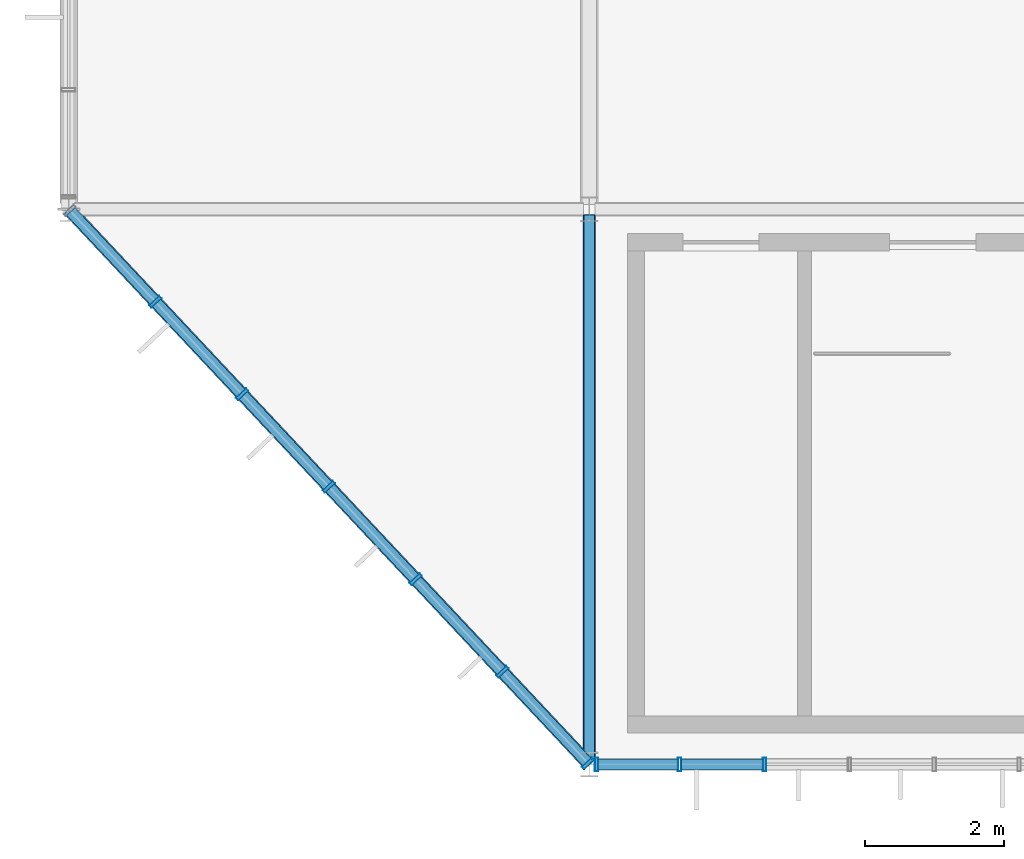
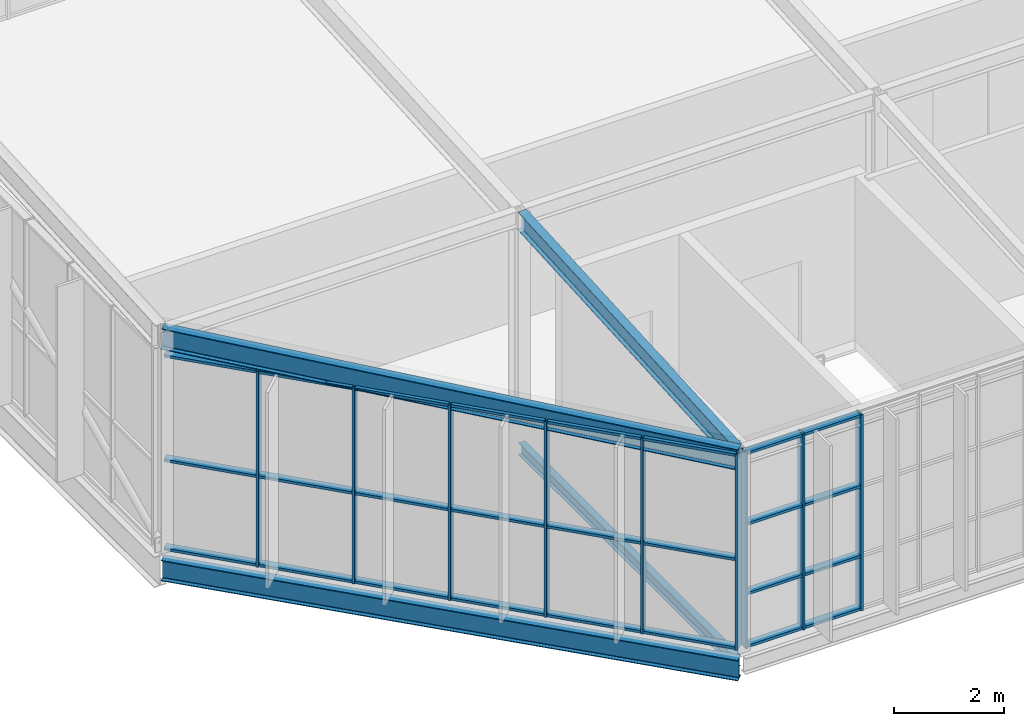
# One storey, part 10 of 104: 35 members, 4 beams, 2 elements without a shape of their own.
"""IFC4 building model written with IfcOpenShell, lengths in metres."""

from ifc_helpers import new_model, si_unit, direction, frame, origin, origin_2d, place, context, subcontext, project, spatial, hollow_rectangle, i_section, extrude, material, layer, layer_set, material_profile, profile_set, type_object, element, aggregate, save


model = new_model("IFC4")

# Units and contexts
model_context = context("Model", 3, precision=1e-05, world=origin(), true_north=direction((0.0, 1.0)))
body_context = subcontext(model_context, "Body", "Model", "MODEL_VIEW")
ifc_project = project(units=[si_unit("LENGTHUNIT", "METRE"), si_unit("AREAUNIT", "SQUARE_METRE"), si_unit("VOLUMEUNIT", "CUBIC_METRE"), si_unit("PLANEANGLEUNIT", "RADIAN"), si_unit("MASSUNIT", "GRAM", prefix="KILO")], contexts=[model_context])

# Site, building, storey
site_placement = place(None, origin())
site = spatial("IfcSite", under=ifc_project, at=site_placement, CompositionType="ELEMENT")
building_placement = place(site_placement, origin())
building = spatial("IfcBuilding", under=site, at=building_placement, Name="Solvenia Promenade Tram Depot", CompositionType="ELEMENT")
storey_placement = place(building_placement, frame((0.0, 0.0, 9.0)))
storey = spatial("IfcBuildingStorey", under=building, at=storey_placement, Name="L02", CompositionType="ELEMENT", Elevation=9.0)

# Beam
ifc_material_1 = material(Name="Structural steel ASTM A992 Gr. 50", Category="steel")
ifc_material_profile_1 = material_profile(ifc_material_1, i_section(OverallWidth=0.178955078125, OverallDepth=0.409912109375, WebThickness=0.0087890625, FlangeThickness=0.014404296875, FilletRadius=0.011962890625, at=origin_2d()), Name="W410x67", Category="steel")
ifc_profile_set_1 = profile_set([ifc_material_profile_1], Name="Structural steel ASTM A992 Gr. 50")
beam_type_1 = type_object("IfcBeamType", Name="Beam-W410x67", PredefinedType="BEAM", material=ifc_profile_set_1)
beam_1_placement = place(storey_placement, frame((7.5, 0.0849609375, 4.2548828125), z_axis=(0.0, 0.998227697106, 0.059510206937), x_axis=(-1.0, 0.0, 0.0)))
element("IfcBeam", 1, at=beam_1_placement, inside=storey, type_object=beam_type_1, Name="Folded Wing Roof Rafter BM-L02-0844", PredefinedType="BEAM", context=body_context, shape_type="SweptSolid", body=[
    extrude(i_section(OverallWidth=0.178955078125, OverallDepth=0.409912109375, WebThickness=0.0087890625, FlangeThickness=0.014404296875, FilletRadius=0.011962890625, at=origin_2d()), origin(), (0.0, 0.0, 1.0), 7.843994140625),
])

# Curtain wall, members
ifc_material_2 = material(Name="Anodized aluminium AW-6063 T6", Category="aluminium")
ifc_layer_1 = layer(ifc_material_2, 0.179931640625, Name="Anodized aluminium AW-6063 T6", Category="aluminium")
ifc_layer_set_1 = layer_set([ifc_layer_1], Name="Anodized aluminium AW-6063 T6")
curtain_wall_type_1 = type_object("IfcCurtainWallType", Name="CW-Prom-1800", PredefinedType="NOTDEFINED", material=ifc_layer_set_1)
curtain_wall_1_placement = place(storey_placement, origin())
curtain_wall_1 = element("IfcCurtainWall", 2, at=curtain_wall_1_placement, inside=storey, type_object=curtain_wall_type_1, Name="L02 West Park Faceted Prow Curtain Wall", PredefinedType="NOTDEFINED")
ifc_material_profile_2 = material_profile(ifc_material_2, hollow_rectangle(XDim=0.199951171875, YDim=0.048095703125, WallThickness=0.00390625, at=origin_2d()), Name="ALU-M3", Category="aluminium")
ifc_profile_set_2 = profile_set([ifc_material_profile_2], Name="Anodized aluminium AW-6063 T6")
member_type_1 = type_object("IfcMemberType", Name="CWM-Mullion-3", PredefinedType="MULLION", material=ifc_profile_set_2)
member_1_placement = place(storey_placement, frame((1.25, 6.666748046875, 0.0), z_axis=(0.0, 0.0, 1.0), x_axis=(0.72953720414, 0.683941128881, 0.0)))
member_1 = element("IfcMember", 3, at=member_1_placement, type_object=member_type_1, Name="CW-9 mullion 2", PredefinedType="MULLION", context=body_context, shape_type="SweptSolid", body=[
    extrude(hollow_rectangle(XDim=0.199951171875, YDim=0.048095703125, WallThickness=0.00390625, at=origin_2d()), origin(), (0.0, 0.0, 1.0), 4.35009765625),
])
member_2_placement = place(storey_placement, frame((2.5, 5.333251953125, 0.0), z_axis=(0.0, 0.0, 1.0), x_axis=(0.72953720414, 0.683941128881, 0.0)))
member_2 = element("IfcMember", 4, at=member_2_placement, type_object=member_type_1, Name="CW-9 mullion 3", PredefinedType="MULLION", context=body_context, shape_type="SweptSolid", body=[
    extrude(hollow_rectangle(XDim=0.199951171875, YDim=0.048095703125, WallThickness=0.00390625, at=origin_2d()), origin(), (0.0, 0.0, 1.0), 4.35009765625),
])
member_3_placement = place(storey_placement, frame((3.75, 4.0, 0.0), z_axis=(0.0, 0.0, 1.0), x_axis=(0.72953720414, 0.683941128881, 0.0)))
member_3 = element("IfcMember", 5, at=member_3_placement, type_object=member_type_1, Name="CW-9 mullion 4", PredefinedType="MULLION", context=body_context, shape_type="SweptSolid", body=[
    extrude(hollow_rectangle(XDim=0.199951171875, YDim=0.048095703125, WallThickness=0.00390625, at=origin_2d()), origin(), (0.0, 0.0, 1.0), 4.35009765625),
])
member_4_placement = place(storey_placement, frame((5.0, 2.666748046875, 0.0), z_axis=(0.0, 0.0, 1.0), x_axis=(0.72953720414, 0.683941128881, 0.0)))
member_4 = element("IfcMember", 6, at=member_4_placement, type_object=member_type_1, Name="CW-9 mullion 5", PredefinedType="MULLION", context=body_context, shape_type="SweptSolid", body=[
    extrude(hollow_rectangle(XDim=0.199951171875, YDim=0.048095703125, WallThickness=0.00390625, at=origin_2d()), origin(), (0.0, 0.0, 1.0), 4.35009765625),
])
member_5_placement = place(storey_placement, frame((6.25, 1.333251953125, 0.0), z_axis=(0.0, 0.0, 1.0), x_axis=(0.72953720414, 0.683941128881, 0.0)))
member_5 = element("IfcMember", 7, at=member_5_placement, type_object=member_type_1, Name="CW-9 mullion 6", PredefinedType="MULLION", context=body_context, shape_type="SweptSolid", body=[
    extrude(hollow_rectangle(XDim=0.199951171875, YDim=0.048095703125, WallThickness=0.00390625, at=origin_2d()), origin(), (0.0, 0.0, 1.0), 4.35009765625),
])
member_6_placement = place(storey_placement, frame((7.483642578125, 0.017578125, 0.0), z_axis=(0.0, 0.0, 1.0), x_axis=(0.72953720414, 0.683941128881, 0.0)))
member_6 = element("IfcMember", 8, at=member_6_placement, type_object=member_type_1, Name="CW-9 mullion 7", PredefinedType="MULLION", context=body_context, shape_type="SweptSolid", body=[
    extrude(hollow_rectangle(XDim=0.199951171875, YDim=0.048095703125, WallThickness=0.00390625, at=origin_2d()), origin(), (0.0, 0.0, 1.0), 4.35009765625),
])

ifc_layer_2 = layer(ifc_material_2, 0.179931640625, Name="Anodized aluminium AW-6063 T6", Category="aluminium")
ifc_layer_set_2 = layer_set([ifc_layer_2], Name="Anodized aluminium AW-6063 T6")
curtain_wall_type_2 = type_object("IfcCurtainWallType", Name="CW-Solar-1250", PredefinedType="NOTDEFINED", material=ifc_layer_set_2)
curtain_wall_2_placement = place(storey_placement, origin())
curtain_wall_2 = element("IfcCurtainWall", 9, at=curtain_wall_2_placement, inside=storey, type_object=curtain_wall_type_2, Name="Curtain Wall CW-V4S-L02-01", PredefinedType="NOTDEFINED")
member_7_placement = place(storey_placement, frame((7.60400390625, 0.0, 0.0), z_axis=(0.0, 0.0, 1.0), x_axis=(0.0, 1.0, 0.0)))
member_7 = element("IfcMember", 10, at=member_7_placement, type_object=member_type_1, Name="CW-6 mullion 1", PredefinedType="MULLION", context=body_context, shape_type="SweptSolid", body=[
    extrude(hollow_rectangle(XDim=0.199951171875, YDim=0.048095703125, WallThickness=0.00390625, at=origin_2d()), origin(), (0.0, 0.0, 1.0), 4.35009765625),
])
member_8_placement = place(storey_placement, frame((8.80322265625, 0.0, 0.0), z_axis=(0.0, 0.0, 1.0), x_axis=(0.0, 1.0, 0.0)))
member_8 = element("IfcMember", 11, at=member_8_placement, type_object=member_type_1, Name="CW-6 mullion 2", PredefinedType="MULLION", context=body_context, shape_type="SweptSolid", body=[
    extrude(hollow_rectangle(XDim=0.199951171875, YDim=0.048095703125, WallThickness=0.00390625, at=origin_2d()), origin(), (0.0, 0.0, 1.0), 4.35009765625),
])
member_9_placement = place(storey_placement, frame((10.026611328125, 0.0, 0.0), z_axis=(0.0, 0.0, 1.0), x_axis=(0.0, 1.0, 0.0)))
member_9 = element("IfcMember", 12, at=member_9_placement, type_object=member_type_1, Name="CW-6 mullion 3", PredefinedType="MULLION", context=body_context, shape_type="SweptSolid", body=[
    extrude(hollow_rectangle(XDim=0.199951171875, YDim=0.048095703125, WallThickness=0.00390625, at=origin_2d()), origin(), (0.0, 0.0, 1.0), 4.35009765625),
])

# Member
ifc_material_profile_3 = material_profile(ifc_material_2, hollow_rectangle(XDim=0.159912109375, YDim=0.05810546875, WallThickness=0.00390625, at=origin_2d()), Name="ALU-T3", Category="aluminium")
ifc_profile_set_3 = profile_set([ifc_material_profile_3], Name="Anodized aluminium AW-6063 T6")
member_type_2 = type_object("IfcMemberType", Name="CWT-Transom-3", PredefinedType="USERDEFINED", material=ifc_profile_set_3)
member_10_placement = place(storey_placement, frame((0.03271484375, 7.965087890625, 0.029052734375), z_axis=(0.683936503845, -0.729541540084, 0.0), x_axis=(0.729541540084, 0.683936503845, 0.0)))
member_10 = element("IfcMember", 13, at=member_10_placement, type_object=member_type_2, Name="CW-9 transom 1.1", ObjectType="TRANSOM", PredefinedType="USERDEFINED", context=body_context, shape_type="SweptSolid", body=[
    extrude(hollow_rectangle(XDim=0.159912109375, YDim=0.05810546875, WallThickness=0.00390625, at=origin_2d()), origin(), (0.0, 0.0, 1.0), 1.755859375),
])

member_11_placement = place(storey_placement, frame((0.03271484375, 7.965087890625, 2.0), z_axis=(0.683936503845, -0.729541540084, 0.0), x_axis=(0.729541540084, 0.683936503845, 0.0)))
member_11 = element("IfcMember", 14, at=member_11_placement, type_object=member_type_2, Name="CW-9 transom 1.2", ObjectType="TRANSOM", PredefinedType="USERDEFINED", context=body_context, shape_type="SweptSolid", body=[
    extrude(hollow_rectangle(XDim=0.159912109375, YDim=0.05810546875, WallThickness=0.00390625, at=origin_2d()), origin(), (0.0, 0.0, 1.0), 1.755859375),
])

member_12_placement = place(storey_placement, frame((0.03271484375, 7.965087890625, 4.321044921875), z_axis=(0.683936503845, -0.729541540084, 0.0), x_axis=(0.729541540084, 0.683936503845, 0.0)))
member_12 = element("IfcMember", 15, at=member_12_placement, type_object=member_type_2, Name="CW-9 transom 1.3", ObjectType="TRANSOM", PredefinedType="USERDEFINED", context=body_context, shape_type="SweptSolid", body=[
    extrude(hollow_rectangle(XDim=0.159912109375, YDim=0.05810546875, WallThickness=0.00390625, at=origin_2d()), origin(), (0.0, 0.0, 1.0), 1.755859375),
])

member_13_placement = place(storey_placement, frame((1.266357421875, 6.649169921875, 0.029052734375), z_axis=(0.683968506921, -0.729511536263, 0.0), x_axis=(0.729511536263, 0.683968506921, 0.0)))
member_13 = element("IfcMember", 16, at=member_13_placement, type_object=member_type_2, Name="CW-9 transom 2.1", ObjectType="TRANSOM", PredefinedType="USERDEFINED", context=body_context, shape_type="SweptSolid", body=[
    extrude(hollow_rectangle(XDim=0.159912109375, YDim=0.05810546875, WallThickness=0.00390625, at=origin_2d()), origin(), (0.0, 0.0, 1.0), 1.77978515625),
])

member_14_placement = place(storey_placement, frame((1.266357421875, 6.649169921875, 2.0), z_axis=(0.683968506921, -0.729511536263, 0.0), x_axis=(0.729511536263, 0.683968506921, 0.0)))
member_14 = element("IfcMember", 17, at=member_14_placement, type_object=member_type_2, Name="CW-9 transom 2.2", ObjectType="TRANSOM", PredefinedType="USERDEFINED", context=body_context, shape_type="SweptSolid", body=[
    extrude(hollow_rectangle(XDim=0.159912109375, YDim=0.05810546875, WallThickness=0.00390625, at=origin_2d()), origin(), (0.0, 0.0, 1.0), 1.77978515625),
])

member_15_placement = place(storey_placement, frame((1.266357421875, 6.649169921875, 4.321044921875), z_axis=(0.683968506921, -0.729511536263, 0.0), x_axis=(0.729511536263, 0.683968506921, 0.0)))
member_15 = element("IfcMember", 18, at=member_15_placement, type_object=member_type_2, Name="CW-9 transom 2.3", ObjectType="TRANSOM", PredefinedType="USERDEFINED", context=body_context, shape_type="SweptSolid", body=[
    extrude(hollow_rectangle(XDim=0.159912109375, YDim=0.05810546875, WallThickness=0.00390625, at=origin_2d()), origin(), (0.0, 0.0, 1.0), 1.77978515625),
])

member_16_placement = place(storey_placement, frame((2.516357421875, 5.31591796875, 0.029052734375), z_axis=(0.683968506921, -0.729511536263, 0.0), x_axis=(0.729511536263, 0.683968506921, 0.0)))
member_16 = element("IfcMember", 19, at=member_16_placement, type_object=member_type_2, Name="CW-9 transom 3.1", ObjectType="TRANSOM", PredefinedType="USERDEFINED", context=body_context, shape_type="SweptSolid", body=[
    extrude(hollow_rectangle(XDim=0.159912109375, YDim=0.05810546875, WallThickness=0.00390625, at=origin_2d()), origin(), (0.0, 0.0, 1.0), 1.77978515625),
])

member_17_placement = place(storey_placement, frame((2.516357421875, 5.31591796875, 2.0), z_axis=(0.683968506921, -0.729511536263, 0.0), x_axis=(0.729511536263, 0.683968506921, 0.0)))
member_17 = element("IfcMember", 20, at=member_17_placement, type_object=member_type_2, Name="CW-9 transom 3.2", ObjectType="TRANSOM", PredefinedType="USERDEFINED", context=body_context, shape_type="SweptSolid", body=[
    extrude(hollow_rectangle(XDim=0.159912109375, YDim=0.05810546875, WallThickness=0.00390625, at=origin_2d()), origin(), (0.0, 0.0, 1.0), 1.77978515625),
])

member_18_placement = place(storey_placement, frame((2.516357421875, 5.31591796875, 4.321044921875), z_axis=(0.683968506921, -0.729511536263, 0.0), x_axis=(0.729511536263, 0.683968506921, 0.0)))
member_18 = element("IfcMember", 21, at=member_18_placement, type_object=member_type_2, Name="CW-9 transom 3.3", ObjectType="TRANSOM", PredefinedType="USERDEFINED", context=body_context, shape_type="SweptSolid", body=[
    extrude(hollow_rectangle(XDim=0.159912109375, YDim=0.05810546875, WallThickness=0.00390625, at=origin_2d()), origin(), (0.0, 0.0, 1.0), 1.77978515625),
])

member_19_placement = place(storey_placement, frame((3.766357421875, 3.982421875, 0.029052734375), z_axis=(0.683968506921, -0.729511536263, 0.0), x_axis=(0.729511536263, 0.683968506921, 0.0)))
member_19 = element("IfcMember", 22, at=member_19_placement, type_object=member_type_2, Name="CW-9 transom 4.1", ObjectType="TRANSOM", PredefinedType="USERDEFINED", context=body_context, shape_type="SweptSolid", body=[
    extrude(hollow_rectangle(XDim=0.159912109375, YDim=0.05810546875, WallThickness=0.00390625, at=origin_2d()), origin(), (0.0, 0.0, 1.0), 1.77978515625),
])

member_20_placement = place(storey_placement, frame((3.766357421875, 3.982421875, 2.0), z_axis=(0.683968506921, -0.729511536263, 0.0), x_axis=(0.729511536263, 0.683968506921, 0.0)))
member_20 = element("IfcMember", 23, at=member_20_placement, type_object=member_type_2, Name="CW-9 transom 4.2", ObjectType="TRANSOM", PredefinedType="USERDEFINED", context=body_context, shape_type="SweptSolid", body=[
    extrude(hollow_rectangle(XDim=0.159912109375, YDim=0.05810546875, WallThickness=0.00390625, at=origin_2d()), origin(), (0.0, 0.0, 1.0), 1.77978515625),
])

member_21_placement = place(storey_placement, frame((3.766357421875, 3.982421875, 4.321044921875), z_axis=(0.683968506921, -0.729511536263, 0.0), x_axis=(0.729511536263, 0.683968506921, 0.0)))
member_21 = element("IfcMember", 24, at=member_21_placement, type_object=member_type_2, Name="CW-9 transom 4.3", ObjectType="TRANSOM", PredefinedType="USERDEFINED", context=body_context, shape_type="SweptSolid", body=[
    extrude(hollow_rectangle(XDim=0.159912109375, YDim=0.05810546875, WallThickness=0.00390625, at=origin_2d()), origin(), (0.0, 0.0, 1.0), 1.77978515625),
])

member_22_placement = place(storey_placement, frame((5.016357421875, 2.649169921875, 0.029052734375), z_axis=(0.683968506921, -0.729511536263, 0.0), x_axis=(0.729511536263, 0.683968506921, 0.0)))
member_22 = element("IfcMember", 25, at=member_22_placement, type_object=member_type_2, Name="CW-9 transom 5.1", ObjectType="TRANSOM", PredefinedType="USERDEFINED", context=body_context, shape_type="SweptSolid", body=[
    extrude(hollow_rectangle(XDim=0.159912109375, YDim=0.05810546875, WallThickness=0.00390625, at=origin_2d()), origin(), (0.0, 0.0, 1.0), 1.77978515625),
])

member_23_placement = place(storey_placement, frame((5.016357421875, 2.649169921875, 2.0), z_axis=(0.683968506921, -0.729511536263, 0.0), x_axis=(0.729511536263, 0.683968506921, 0.0)))
member_23 = element("IfcMember", 26, at=member_23_placement, type_object=member_type_2, Name="CW-9 transom 5.2", ObjectType="TRANSOM", PredefinedType="USERDEFINED", context=body_context, shape_type="SweptSolid", body=[
    extrude(hollow_rectangle(XDim=0.159912109375, YDim=0.05810546875, WallThickness=0.00390625, at=origin_2d()), origin(), (0.0, 0.0, 1.0), 1.77978515625),
])

member_24_placement = place(storey_placement, frame((5.016357421875, 2.649169921875, 4.321044921875), z_axis=(0.683968506921, -0.729511536263, 0.0), x_axis=(0.729511536263, 0.683968506921, 0.0)))
member_24 = element("IfcMember", 27, at=member_24_placement, type_object=member_type_2, Name="CW-9 transom 5.3", ObjectType="TRANSOM", PredefinedType="USERDEFINED", context=body_context, shape_type="SweptSolid", body=[
    extrude(hollow_rectangle(XDim=0.159912109375, YDim=0.05810546875, WallThickness=0.00390625, at=origin_2d()), origin(), (0.0, 0.0, 1.0), 1.77978515625),
])

member_25_placement = place(storey_placement, frame((6.266357421875, 1.31591796875, 0.029052734375), z_axis=(0.683936503845, -0.729541540084, 0.0), x_axis=(0.729541540084, 0.683936503845, 0.0)))
member_25 = element("IfcMember", 28, at=member_25_placement, type_object=member_type_2, Name="CW-9 transom 6.1", ObjectType="TRANSOM", PredefinedType="USERDEFINED", context=body_context, shape_type="SweptSolid", body=[
    extrude(hollow_rectangle(XDim=0.159912109375, YDim=0.05810546875, WallThickness=0.00390625, at=origin_2d()), origin(), (0.0, 0.0, 1.0), 1.755859375),
])

member_26_placement = place(storey_placement, frame((6.266357421875, 1.31591796875, 2.0), z_axis=(0.683936503845, -0.729541540084, 0.0), x_axis=(0.729541540084, 0.683936503845, 0.0)))
member_26 = element("IfcMember", 29, at=member_26_placement, type_object=member_type_2, Name="CW-9 transom 6.2", ObjectType="TRANSOM", PredefinedType="USERDEFINED", context=body_context, shape_type="SweptSolid", body=[
    extrude(hollow_rectangle(XDim=0.159912109375, YDim=0.05810546875, WallThickness=0.00390625, at=origin_2d()), origin(), (0.0, 0.0, 1.0), 1.755859375),
])

member_27_placement = place(storey_placement, frame((6.266357421875, 1.31591796875, 4.321044921875), z_axis=(0.683936503845, -0.729541540084, 0.0), x_axis=(0.729541540084, 0.683936503845, 0.0)))
member_27 = element("IfcMember", 30, at=member_27_placement, type_object=member_type_2, Name="CW-9 transom 6.3", ObjectType="TRANSOM", PredefinedType="USERDEFINED", context=body_context, shape_type="SweptSolid", body=[
    extrude(hollow_rectangle(XDim=0.159912109375, YDim=0.05810546875, WallThickness=0.00390625, at=origin_2d()), origin(), (0.0, 0.0, 1.0), 1.755859375),
])

aggregate(curtain_wall_1, [member_1, member_2, member_3, member_4, member_5, member_6, member_10, member_11, member_12, member_13, member_14, member_15, member_16, member_17, member_18, member_19, member_20, member_21, member_22, member_23, member_24, member_25, member_26, member_27])

member_28_placement = place(storey_placement, frame((7.6279296875, 0.0, 0.029052734375), z_axis=(1.0, 0.0, 0.0), x_axis=(0.0, 1.0, 0.0)))
member_28 = element("IfcMember", 31, at=member_28_placement, type_object=member_type_2, Name="CW-6 transom 1.1", ObjectType="TRANSOM", PredefinedType="USERDEFINED", context=body_context, shape_type="SweptSolid", body=[
    extrude(hollow_rectangle(XDim=0.159912109375, YDim=0.05810546875, WallThickness=0.00390625, at=origin_2d()), origin(), (0.0, 0.0, 1.0), 1.1513671875),
])

member_29_placement = place(storey_placement, frame((7.6279296875, 0.0, 1.199951171875), z_axis=(1.0, 0.0, 0.0), x_axis=(0.0, 1.0, 0.0)))
member_29 = element("IfcMember", 32, at=member_29_placement, type_object=member_type_2, Name="CW-6 transom 1.2", ObjectType="TRANSOM", PredefinedType="USERDEFINED", context=body_context, shape_type="SweptSolid", body=[
    extrude(hollow_rectangle(XDim=0.159912109375, YDim=0.05810546875, WallThickness=0.00390625, at=origin_2d()), origin(), (0.0, 0.0, 1.0), 1.1513671875),
])

member_30_placement = place(storey_placement, frame((7.6279296875, 0.0, 2.75), z_axis=(1.0, 0.0, 0.0), x_axis=(0.0, 1.0, 0.0)))
member_30 = element("IfcMember", 33, at=member_30_placement, type_object=member_type_2, Name="CW-6 transom 1.3", ObjectType="TRANSOM", PredefinedType="USERDEFINED", context=body_context, shape_type="SweptSolid", body=[
    extrude(hollow_rectangle(XDim=0.159912109375, YDim=0.05810546875, WallThickness=0.00390625, at=origin_2d()), origin(), (0.0, 0.0, 1.0), 1.1513671875),
])

member_31_placement = place(storey_placement, frame((7.6279296875, 0.0, 4.321044921875), z_axis=(1.0, 0.0, 0.0), x_axis=(0.0, 1.0, 0.0)))
member_31 = element("IfcMember", 34, at=member_31_placement, type_object=member_type_2, Name="CW-6 transom 1.4", ObjectType="TRANSOM", PredefinedType="USERDEFINED", context=body_context, shape_type="SweptSolid", body=[
    extrude(hollow_rectangle(XDim=0.159912109375, YDim=0.05810546875, WallThickness=0.00390625, at=origin_2d()), origin(), (0.0, 0.0, 1.0), 1.1513671875),
])

member_32_placement = place(storey_placement, frame((8.827392578125, 0.0, 0.029052734375), z_axis=(1.0, 0.0, 0.0), x_axis=(0.0, 1.0, 0.0)))
member_32 = element("IfcMember", 35, at=member_32_placement, type_object=member_type_2, Name="CW-6 transom 2.1", ObjectType="TRANSOM", PredefinedType="USERDEFINED", context=body_context, shape_type="SweptSolid", body=[
    extrude(hollow_rectangle(XDim=0.159912109375, YDim=0.05810546875, WallThickness=0.00390625, at=origin_2d()), origin(), (0.0, 0.0, 1.0), 1.17529296875),
])

member_33_placement = place(storey_placement, frame((8.827392578125, 0.0, 1.199951171875), z_axis=(1.0, 0.0, 0.0), x_axis=(0.0, 1.0, 0.0)))
member_33 = element("IfcMember", 36, at=member_33_placement, type_object=member_type_2, Name="CW-6 transom 2.2", ObjectType="TRANSOM", PredefinedType="USERDEFINED", context=body_context, shape_type="SweptSolid", body=[
    extrude(hollow_rectangle(XDim=0.159912109375, YDim=0.05810546875, WallThickness=0.00390625, at=origin_2d()), origin(), (0.0, 0.0, 1.0), 1.17529296875),
])

member_34_placement = place(storey_placement, frame((8.827392578125, 0.0, 2.75), z_axis=(1.0, 0.0, 0.0), x_axis=(0.0, 1.0, 0.0)))
member_34 = element("IfcMember", 37, at=member_34_placement, type_object=member_type_2, Name="CW-6 transom 2.3", ObjectType="TRANSOM", PredefinedType="USERDEFINED", context=body_context, shape_type="SweptSolid", body=[
    extrude(hollow_rectangle(XDim=0.159912109375, YDim=0.05810546875, WallThickness=0.00390625, at=origin_2d()), origin(), (0.0, 0.0, 1.0), 1.17529296875),
])

member_35_placement = place(storey_placement, frame((8.827392578125, 0.0, 4.321044921875), z_axis=(1.0, 0.0, 0.0), x_axis=(0.0, 1.0, 0.0)))
member_35 = element("IfcMember", 38, at=member_35_placement, type_object=member_type_2, Name="CW-6 transom 2.4", ObjectType="TRANSOM", PredefinedType="USERDEFINED", context=body_context, shape_type="SweptSolid", body=[
    extrude(hollow_rectangle(XDim=0.159912109375, YDim=0.05810546875, WallThickness=0.00390625, at=origin_2d()), origin(), (0.0, 0.0, 1.0), 1.17529296875),
])

aggregate(curtain_wall_2, [member_7, member_8, member_9, member_28, member_29, member_30, member_31, member_32, member_33, member_34, member_35])

# Beams
ifc_material_profile_4 = material_profile(ifc_material_1, i_section(OverallWidth=0.14697265625, OverallDepth=0.261962890625, WebThickness=0.006591796875, FlangeThickness=0.01123046875, FilletRadius=0.010009765625, at=origin_2d()), Name="W250x39", Category="steel")
ifc_profile_set_4 = profile_set([ifc_material_profile_4], Name="Structural steel ASTM A992 Gr. 50")
beam_type_2 = type_object("IfcBeamType", Name="Joist-W250x39", PredefinedType="JOIST", material=ifc_profile_set_4)
beam_2_placement = place(storey_placement, frame((7.5, 0.0849609375, -0.35107421875), z_axis=(0.0, 1.0, 0.0), x_axis=(-1.0, 0.0, 0.0)))
element("IfcBeam", 39, at=beam_2_placement, inside=storey, type_object=beam_type_2, Name="Transverse Girder BM-L02-0544", PredefinedType="JOIST", context=body_context, shape_type="SweptSolid", body=[
    extrude(i_section(OverallWidth=0.14697265625, OverallDepth=0.261962890625, WebThickness=0.006591796875, FlangeThickness=0.01123046875, FilletRadius=0.010009765625, at=origin_2d()), origin(), (0.0, 0.0, 1.0), 7.830078125),
])
ifc_material_profile_5 = material_profile(ifc_material_1, i_section(OverallWidth=0.19091796875, OverallDepth=0.4599609375, WebThickness=0.010009765625, FlangeThickness=0.01611328125, FilletRadius=0.012939453125, at=origin_2d()), Name="W460x82", Category="steel")
ifc_profile_set_5 = profile_set([ifc_material_profile_5], Name="Structural steel ASTM A992 Gr. 50")
beam_type_3 = type_object("IfcBeamType", Name="Spandrel-W460x82", PredefinedType="SPANDREL", material=ifc_profile_set_5)
beam_3_placement = place(storey_placement, frame((0.0, 8.0, -0.449951171875), z_axis=(0.683941128881, -0.72953720414, 0.0), x_axis=(0.72953720414, 0.683941128881, 0.0)))
element("IfcBeam", 40, at=beam_3_placement, inside=storey, type_object=beam_type_3, Name="West Park Chamfer Spandrel BM-L02-0558", PredefinedType="SPANDREL", context=body_context, shape_type="SweptSolid", body=[
    extrude(i_section(OverallWidth=0.19091796875, OverallDepth=0.4599609375, WebThickness=0.010009765625, FlangeThickness=0.01611328125, FilletRadius=0.012939453125, at=origin_2d()), origin(), (0.0, 0.0, 1.0), 10.9658203125),
])
beam_4_placement = place(storey_placement, frame((0.0, 8.0, 4.69677734375), z_axis=(0.683322301123, -0.728877121198, -0.042529695304), x_axis=(0.72953720414, 0.683941128881, 0.0)))
element("IfcBeam", 41, at=beam_4_placement, inside=storey, type_object=beam_type_3, Name="Folded Wing Chamfer Rafter BM-L02-0858", PredefinedType="SPANDREL", context=body_context, shape_type="SweptSolid", body=[
    extrude(i_section(OverallWidth=0.19091796875, OverallDepth=0.4599609375, WebThickness=0.010009765625, FlangeThickness=0.01611328125, FilletRadius=0.012939453125, at=origin_2d()), origin(), (0.0, 0.0, 1.0), 10.975830078125),
])

save(model, "model.ifc")
